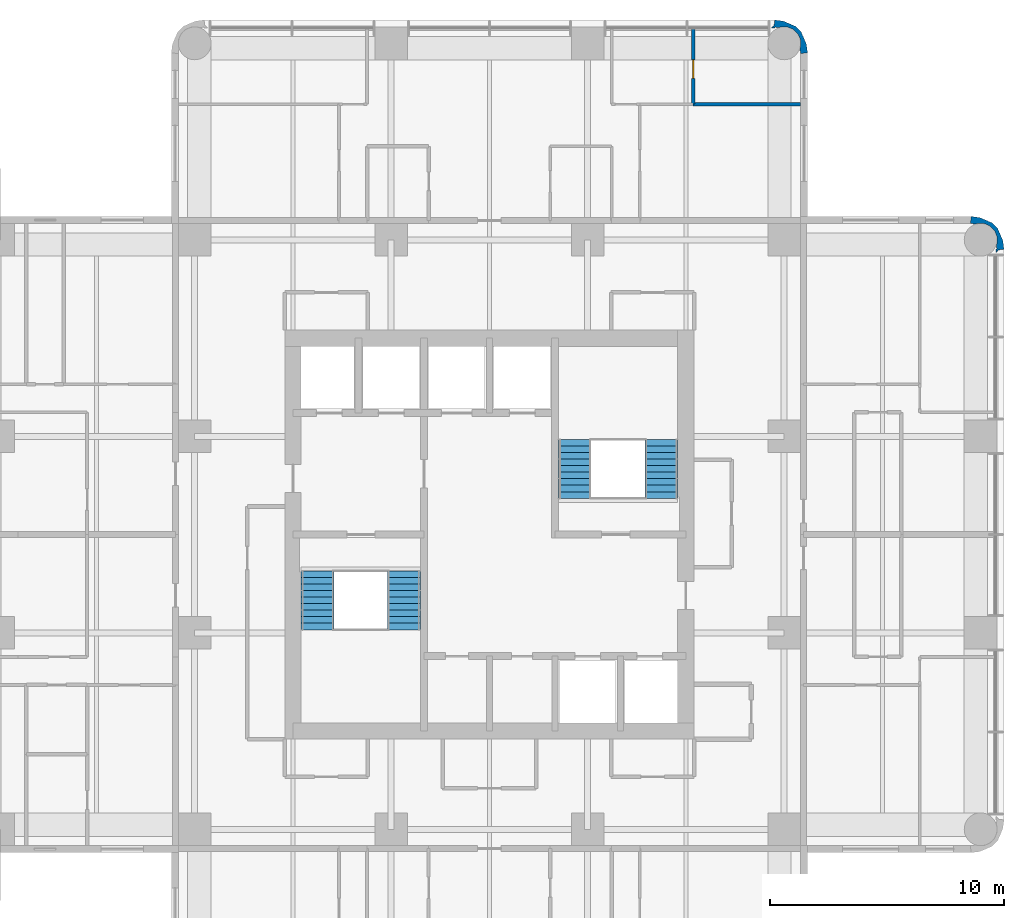
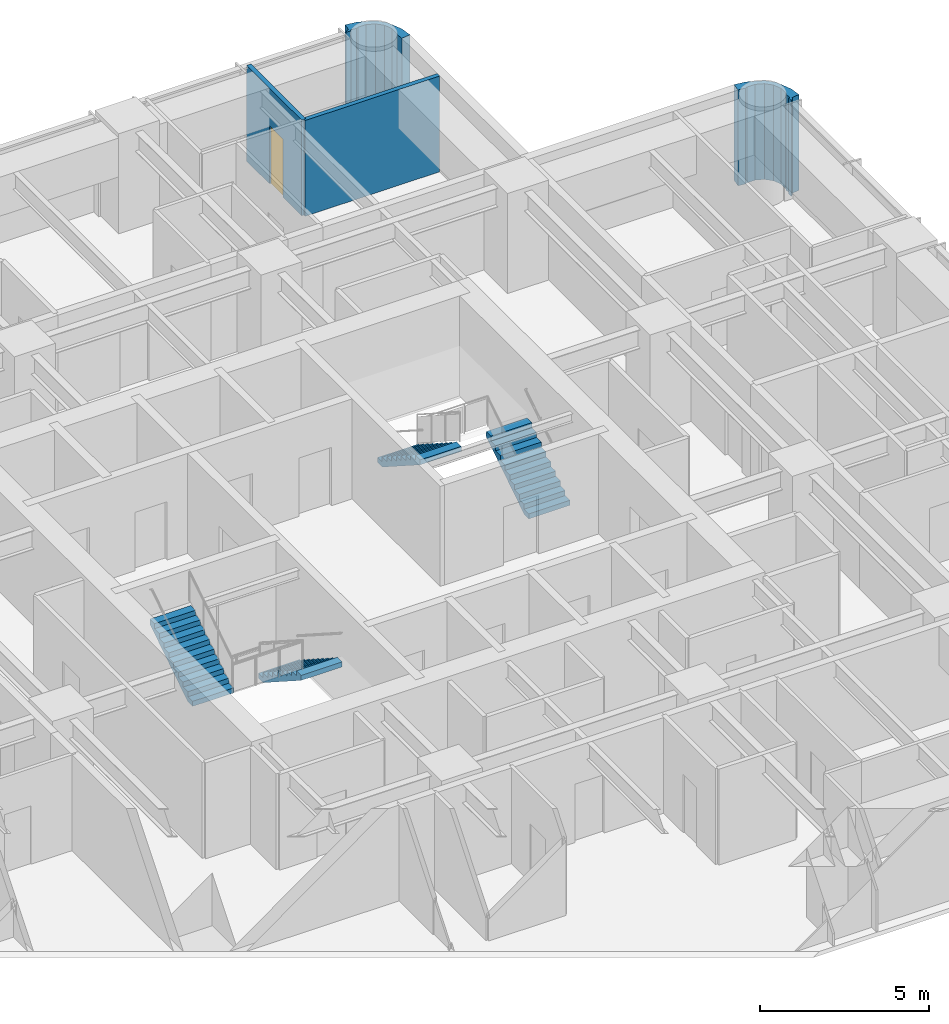
# One storey, part 10 of 11: 4 stair flights, 4 walls, 1 door, 1 opening, 2 elements without a shape of their own.
"""IFC4 building model written with IfcOpenShell, lengths in metres."""

from ifc_helpers import new_model, si_unit, direction, frame, frame_2d, origin, place, context, subcontext, project, spatial, polyline, rectangle, outline, extrude, material, layer, layer_set, type_object, element, fill, aggregate, save


model = new_model("IFC4")

# Units and contexts
model_context = context("Model", 3, precision=1e-05, world=origin(), true_north=direction((0.0, 1.0)))
body_context = subcontext(model_context, "Body", "Model", "MODEL_VIEW")
ifc_project = project(units=[si_unit("LENGTHUNIT", "METRE"), si_unit("AREAUNIT", "SQUARE_METRE"), si_unit("VOLUMEUNIT", "CUBIC_METRE"), si_unit("PLANEANGLEUNIT", "RADIAN"), si_unit("MASSUNIT", "GRAM", prefix="KILO")], contexts=[model_context])

# Site, building, storey
site_placement = place(None, origin())
site = spatial("IfcSite", under=ifc_project, at=site_placement, CompositionType="ELEMENT")
building_placement = place(site_placement, origin())
building = spatial("IfcBuilding", under=site, at=building_placement, Name="Torre Alcanfor", CompositionType="ELEMENT")
storey_placement = place(building_placement, frame((0.0, 0.0, 194.10009765625)))
storey = spatial("IfcBuildingStorey", under=building, at=storey_placement, Name="L50", CompositionType="ELEMENT", Elevation=194.10009765625)

# Walls
ifc_material_1 = material(Name="Limestone cladding", Category="masonry")
ifc_layer_1 = layer(ifc_material_1, 0.0400390625, Name="Facing")
ifc_material_2 = material(Name="Ventilated air cavity")
ifc_layer_2 = layer(ifc_material_2, 0.02001953125, ventilated=True, Name="Ventilated joint")
ifc_material_3 = material(Name="Mineral wool insulation", Category="insulation")
ifc_layer_3 = layer(ifc_material_3, 0.10009765625, Name="Insulation")
ifc_material_4 = material(Name="Concrete f'c 35 MPa", Category="concrete")
ifc_layer_4 = layer(ifc_material_4, 0.139892578125, Name="Backing")
ifc_layer_set_1 = layer_set([ifc_layer_1, ifc_layer_2, ifc_layer_3, ifc_layer_4], Name="Rounded corner pier stone-clad 300")
wall_type_1 = type_object("IfcWallType", Name="Rounded corner pier stone-clad 300", PredefinedType="SOLIDWALL", material=ifc_layer_set_1)
wall_1_placement = place(storey_placement, frame((50.98815184, 41.487674505, 0.0), z_axis=(0.0, 0.0, 1.0), x_axis=(0.898030234854, 0.439933741929, 0.0)))
element("IfcWall", 1, at=wall_1_placement, inside=storey, type_object=wall_type_1, Name="Corner pier L50 18", PredefinedType="SOLIDWALL", context=body_context, shape_type="SweptSolid", body=[
    extrude(outline(polyline([(0.13762845900144902, -0.0395605783475044), (0.18185793649134802, -0.00033087416050568697), (0.41922313919285215, -0.08018355093564442), (0.535860291835806, 0.2661211239178742), (0.5587746083679793, 0.6308813409414961), (0.5545700157158291, 0.6511558966825934), (0.5663920082639611, 0.8356681075750403), (0.45545119814889223, 1.159160361177863), (0.33312688681130387, 1.297925592490813), (0.32402252373636403, 1.3165225487705126), (0.08234923743790223, 1.5906923948786469), (-0.22206721491752535, 1.7928353560160377), (-0.38958661601048106, 1.540782159618673), (-0.3718277173231749, 1.5320822980229156), (-0.19464371431186422, 1.4142897687749243), (-0.11970407362674929, 1.4096575385515544), (0.13067447329798665, 1.2870002306212465), (0.31526160288378063, 1.0777694581339308), (0.4057356995697948, 0.8140544036891404), (0.38812563637514036, 0.5355946934281371), (0.26546832844483254, 0.28521614650340116), (0.2089867161004748, 0.23540500505176065), (0.14757776297591008, 0.05289210976982966), (0.10504410439149783, 0.07372881532016215), (0.03190082356790798, -0.07557748105089318), (0.13762845900144902, -0.0395605783475044)])), origin(), (0.0, 0.0, 1.0), 3.449951171875),
])
wall_2_placement = place(storey_placement, frame((42.724211819, 50.110315272, 0.0), z_axis=(0.0, 0.0, 1.0), x_axis=(0.439933741929, 0.898030234854, 0.0)))
element("IfcWall", 2, at=wall_2_placement, inside=storey, type_object=wall_type_1, Name="Corner pier L50 19", PredefinedType="SOLIDWALL", context=body_context, shape_type="SweptSolid", body=[
    extrude(outline(polyline([(-0.14525732426811072, -0.04414433895897353), (0.0222620768248451, -0.29619753535633836), (0.3266785291802725, -0.09405457421894756), (0.5683518154787345, 0.1801152718891868), (0.5774561785536743, 0.19871222816888634), (0.6997804898912626, 0.33747745948183633), (0.8107213000063315, 0.6609697130846591), (0.7988993074581994, 0.8454819239771059), (0.8031039001103497, 0.8657564797182034), (0.7801895835781762, 1.2305166967418253), (0.6635524309352225, 1.5768213715953436), (0.42618722823371835, 1.496968694820205), (0.38195775074381944, 1.5361983990072037), (0.2762301153102783, 1.5722153017105926), (0.3493733961338682, 1.4229090053395372), (0.39190705471828047, 1.4437457108898697), (0.45331600784284515, 1.2612328156079387), (0.5097976201872029, 1.2114216741562982), (0.6324549281175107, 0.9610431272315622), (0.6500649913121652, 0.6825834169705589), (0.559590894626151, 0.4188683625257686), (0.37500376504035704, 0.20963759003845278), (0.1246252181156211, 0.08698028210814499), (0.04968557743050611, 0.08234805188477495), (-0.12749842558080457, -0.035444477363216154), (-0.14525732426811072, -0.04414433895897353)])), origin(), (0.0, 0.0, 1.0), 3.449951171875),
])
ifc_material_5 = material(Name="Cement board on steel studs", Category="steel")
ifc_layer_5 = layer(ifc_material_5, 0.14990234375)
ifc_layer_set_2 = layer_set([ifc_layer_5], Name="Wet area partition 150")
wall_type_2 = type_object("IfcWallType", Name="Wet area partition 150", PredefinedType="PARTITIONING", material=ifc_layer_set_2)
wall_3_placement = place(storey_placement, frame((42.699951171875, 47.800048828125, 0.0), z_axis=(0.0, 0.0, 1.0), x_axis=(-1.0, 0.0, 0.0)))
element("IfcWall", 3, at=wall_3_placement, inside=storey, type_object=wall_type_2, Name="Partition L50-NX-BED3 / L50-NX-BATH1", PredefinedType="PARTITIONING", context=body_context, shape_type="SweptSolid", body=[
    extrude(rectangle(XDim=4.5859375, YDim=0.14990234375, at=frame_2d((2.29296875, 0.0))), origin(), (0.0, 0.0, 1.0), 3.449951171875),
])

# Wall, opening, door
wall_4_placement = place(storey_placement, frame((38.114013671875, 51.050048828125, 0.0), z_axis=(0.0, 0.0, 1.0), x_axis=(0.0, -1.0, 0.0)))
wall_4 = element("IfcWall", 4, at=wall_4_placement, inside=storey, type_object=wall_type_2, Name="Partition L50-NX-BATH1 / L50-NX-BED1", PredefinedType="PARTITIONING", context=body_context, shape_type="SweptSolid", body=[
    extrude(rectangle(XDim=3.25, YDim=0.14990234375, at=frame_2d((1.625, 0.0))), origin(), (0.0, 0.0, 1.0), 3.449951171875),
])
opening_placement = place(wall_4_placement, frame((1.35009765625, 0.0, 0.0)))
opening = element("IfcOpeningElement", 5, at=opening_placement, cuts=wall_4, Name="Opening D-R2", PredefinedType="OPENING", context=body_context, shape_type="SweptSolid", body=[
    extrude(rectangle(XDim=0.800048828125, YDim=2.10009765625, at=frame_2d((0.39990234375, 1.050048828125))), frame((0.0, 0.0849609375, 0.0), z_axis=(0.0, -1.0, 0.0), x_axis=(1.0, 0.0, 0.0)), (0.0, 0.0, 1.0), 0.169921875),
])
ifc_material_6 = material(Name="Timber", Category="wood")
door_type = type_object("IfcDoorType", Name="Bathroom door 800x2100", OperationType="SINGLE_SWING_LEFT", PredefinedType="DOOR", material=ifc_material_6)
door_placement = place(opening_placement, frame((0.800048828125, 0.0, 0.0), z_axis=(0.0, 0.0, 1.0), x_axis=(-1.0, 0.0, 0.0)))
door = element("IfcDoor", 6, at=door_placement, inside=storey, type_object=door_type, Name="Door L50-NX bath1", OperationType="SINGLE_SWING_LEFT", OverallHeight=2.10009765625, OverallWidth=0.800048828125, PredefinedType="DOOR", context=body_context, shape_type="SweptSolid", body=[
    extrude(rectangle(XDim=0.800048828125, YDim=2.10009765625, at=frame_2d((0.400146484375, 1.050048828125))), frame((0.0, 0.025146484375, 0.0), z_axis=(0.0, -1.0, 0.0), x_axis=(1.0, 0.0, 0.0)), (0.0, 0.0, 1.0), 0.050048828125),
])
fill(opening, door)

# Stair, stair flights
ifc_material_7 = material(Name="Concrete f'c 35 MPa", Category="concrete")
stair_type_1 = type_object("IfcStairType", Name="Exit stair S1 1400 wide", PredefinedType="HALF_TURN_STAIR", material=ifc_material_7)
stair_1_placement = place(storey_placement, origin())
stair_1 = element("IfcStair", 7, at=stair_1_placement, inside=storey, type_object=stair_type_1, Name="Stair S1 L50 to L51", PredefinedType="HALF_TURN_STAIR")
ifc_material_8 = material(Name="Concrete f'c 35 MPa", Category="concrete")
stair_flight_type = type_object("IfcStairFlightType", Name="Stair flight 1400", PredefinedType="STRAIGHT", material=ifc_material_8)
stair_flight_1_placement = place(storey_placement, frame((25.75, 27.85009765625, 0.0), z_axis=(0.0, 0.0, 1.0), x_axis=(0.0, -1.0, 0.0)))
stair_flight_1 = element("IfcStairFlight", 8, at=stair_flight_1_placement, type_object=stair_flight_type, Name="S1 flight 1", NumberOfRisers=10, NumberOfTreads=9, PredefinedType="STRAIGHT", RiserHeight=0.18, TreadLength=0.28, context=body_context, shape_type="SweptSolid", body=[
    extrude(outline(polyline([(0.0, 0.0), (0.0, 0.179931640625), (0.280029296875, 0.179931640625), (0.280029296875, 0.360107421875), (0.56005859375, 0.360107421875), (0.56005859375, 0.5400390625), (0.840087890625, 0.5400390625), (0.840087890625, 0.719970703125), (1.1201171875, 0.719970703125), (1.1201171875, 0.89990234375), (1.39990234375, 0.89990234375), (1.39990234375, 1.080078125), (1.679931640625, 1.080078125), (1.679931640625, 1.260009765625), (1.9599609375, 1.260009765625), (1.9599609375, 1.43994140625), (2.239990234375, 1.43994140625), (2.239990234375, 1.6201171875), (2.52001953125, 1.6201171875), (2.52001953125, 1.800048828125), (2.52001953125, 1.44189453125), (0.277099609375, 0.0), (0.0, 0.0)])), frame((0.0, 0.699951171875, 0.0), z_axis=(0.0, -1.0, 0.0), x_axis=(1.0, 0.0, 0.0)), (0.0, 0.0, 1.0), 1.39990234375),
])
stair_flight_2_placement = place(storey_placement, frame((22.050048828125, 25.330078125, 1.7998046875), z_axis=(0.0, 0.0, 1.0), x_axis=(0.0, 1.0, 0.0)))
stair_flight_2 = element("IfcStairFlight", 9, at=stair_flight_2_placement, type_object=stair_flight_type, Name="S1 flight 2", NumberOfRisers=10, NumberOfTreads=9, PredefinedType="STRAIGHT", RiserHeight=0.18, TreadLength=0.28, context=body_context, shape_type="SweptSolid", body=[
    extrude(outline(polyline([(0.0, 0.0), (0.0, 0.179931640625), (0.280029296875, 0.179931640625), (0.280029296875, 0.360107421875), (0.56005859375, 0.360107421875), (0.56005859375, 0.5400390625), (0.840087890625, 0.5400390625), (0.840087890625, 0.719970703125), (1.1201171875, 0.719970703125), (1.1201171875, 0.89990234375), (1.39990234375, 0.89990234375), (1.39990234375, 1.080078125), (1.679931640625, 1.080078125), (1.679931640625, 1.260009765625), (1.9599609375, 1.260009765625), (1.9599609375, 1.43994140625), (2.239990234375, 1.43994140625), (2.239990234375, 1.6201171875), (2.52001953125, 1.6201171875), (2.52001953125, 1.800048828125), (2.52001953125, 1.44189453125), (0.277099609375, 0.0), (0.0, 0.0)])), frame((0.0, 0.699951171875, 0.0), z_axis=(0.0, -1.0, 0.0), x_axis=(1.0, 0.0, 0.0)), (0.0, 0.0, 1.0), 1.39990234375),
])
aggregate(stair_1, [stair_flight_1, stair_flight_2])

ifc_material_9 = material(Name="Concrete f'c 35 MPa", Category="concrete")
stair_type_2 = type_object("IfcStairType", Name="Exit stair S2 1400 wide", PredefinedType="HALF_TURN_STAIR", material=ifc_material_9)
stair_2_placement = place(storey_placement, origin())
stair_2 = element("IfcStair", 10, at=stair_2_placement, inside=storey, type_object=stair_type_2, Name="Stair S2 L50 to L51", PredefinedType="HALF_TURN_STAIR")
stair_flight_3_placement = place(storey_placement, frame((36.75, 30.949951171875, 0.0), z_axis=(0.0, 0.0, 1.0), x_axis=(0.0, 1.0, 0.0)))
stair_flight_3 = element("IfcStairFlight", 11, at=stair_flight_3_placement, type_object=stair_flight_type, Name="S2 flight 1", NumberOfRisers=10, NumberOfTreads=9, PredefinedType="STRAIGHT", RiserHeight=0.18, TreadLength=0.28, context=body_context, shape_type="SweptSolid", body=[
    extrude(outline(polyline([(0.0, 0.0), (0.0, 0.179931640625), (0.280029296875, 0.179931640625), (0.280029296875, 0.360107421875), (0.56005859375, 0.360107421875), (0.56005859375, 0.5400390625), (0.840087890625, 0.5400390625), (0.840087890625, 0.719970703125), (1.1201171875, 0.719970703125), (1.1201171875, 0.89990234375), (1.39990234375, 0.89990234375), (1.39990234375, 1.080078125), (1.679931640625, 1.080078125), (1.679931640625, 1.260009765625), (1.9599609375, 1.260009765625), (1.9599609375, 1.43994140625), (2.239990234375, 1.43994140625), (2.239990234375, 1.6201171875), (2.52001953125, 1.6201171875), (2.52001953125, 1.800048828125), (2.52001953125, 1.44189453125), (0.277099609375, 0.0), (0.0, 0.0)])), frame((0.0, 0.699951171875, 0.0), z_axis=(0.0, -1.0, 0.0), x_axis=(1.0, 0.0, 0.0)), (0.0, 0.0, 1.0), 1.39990234375),
])
stair_flight_4_placement = place(storey_placement, frame((33.050048828125, 33.469970703125, 1.7998046875), z_axis=(0.0, 0.0, 1.0), x_axis=(0.0, -1.0, 0.0)))
stair_flight_4 = element("IfcStairFlight", 12, at=stair_flight_4_placement, type_object=stair_flight_type, Name="S2 flight 2", NumberOfRisers=10, NumberOfTreads=9, PredefinedType="STRAIGHT", RiserHeight=0.18, TreadLength=0.28, context=body_context, shape_type="SweptSolid", body=[
    extrude(outline(polyline([(0.0, 0.0), (0.0, 0.179931640625), (0.280029296875, 0.179931640625), (0.280029296875, 0.360107421875), (0.56005859375, 0.360107421875), (0.56005859375, 0.5400390625), (0.840087890625, 0.5400390625), (0.840087890625, 0.719970703125), (1.1201171875, 0.719970703125), (1.1201171875, 0.89990234375), (1.39990234375, 0.89990234375), (1.39990234375, 1.080078125), (1.679931640625, 1.080078125), (1.679931640625, 1.260009765625), (1.9599609375, 1.260009765625), (1.9599609375, 1.43994140625), (2.239990234375, 1.43994140625), (2.239990234375, 1.6201171875), (2.52001953125, 1.6201171875), (2.52001953125, 1.800048828125), (2.52001953125, 1.44189453125), (0.277099609375, 0.0), (0.0, 0.0)])), frame((0.0, 0.699951171875, 0.0), z_axis=(0.0, -1.0, 0.0), x_axis=(1.0, 0.0, 0.0)), (0.0, 0.0, 1.0), 1.39990234375),
])
aggregate(stair_2, [stair_flight_3, stair_flight_4])

save(model, "model.ifc")
